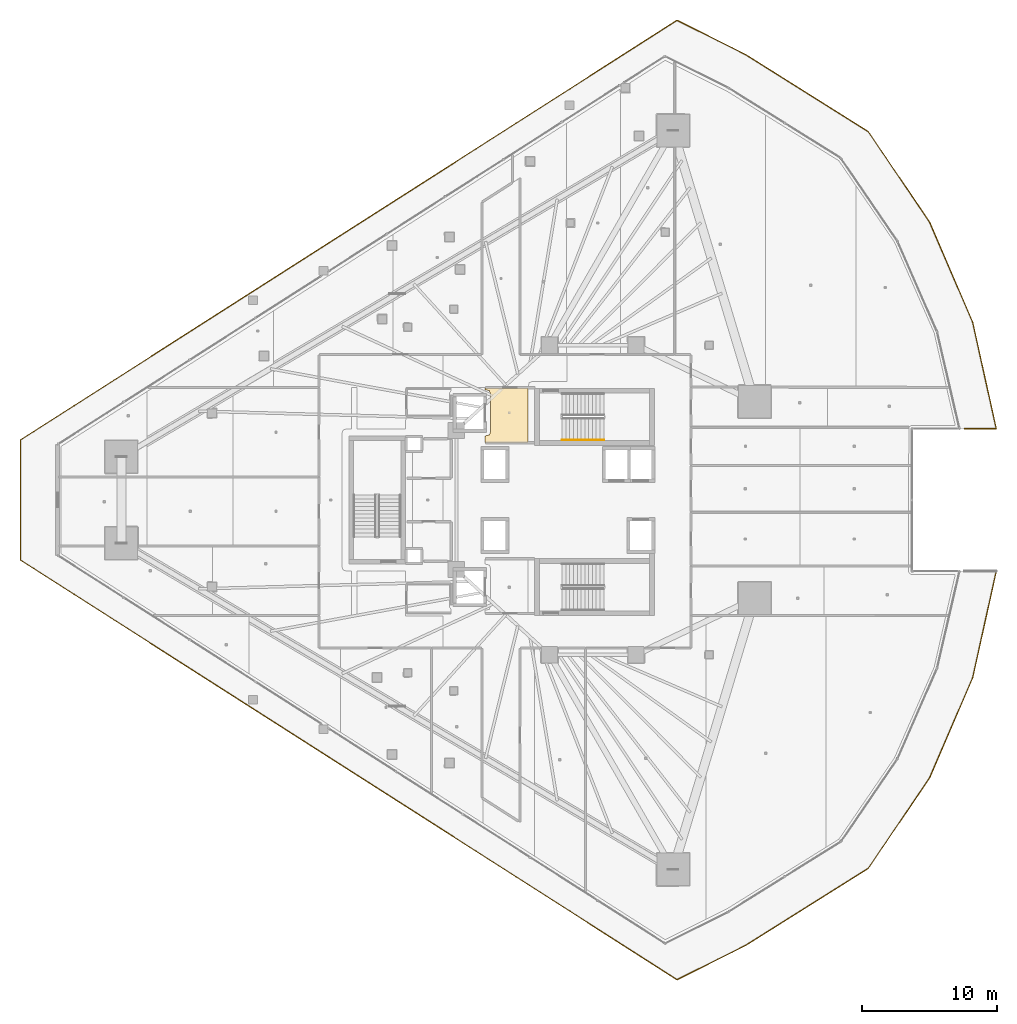
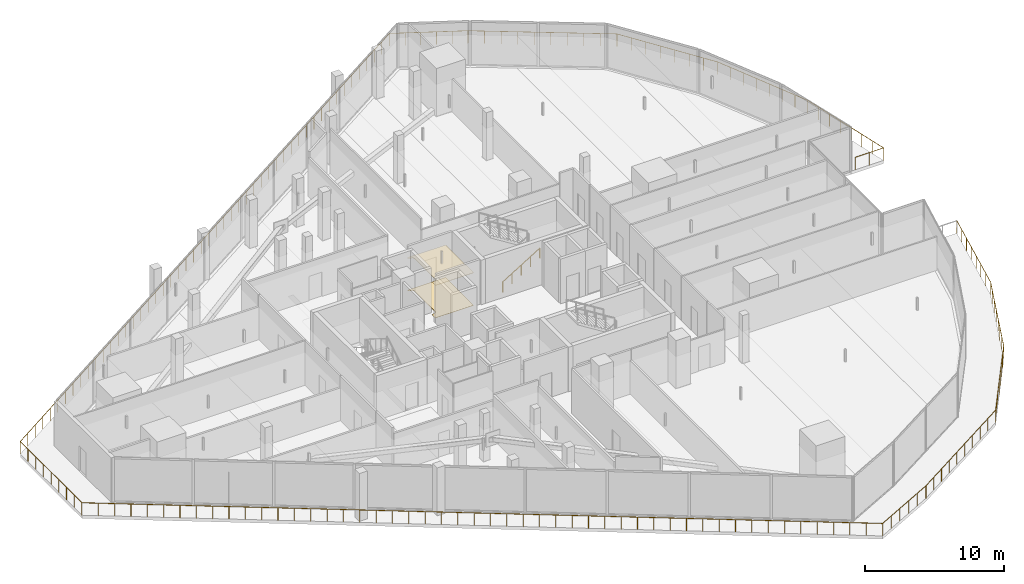
# One storey, part 50 of 52: 2 coverings, 2 railings.
"""IFC4 building model written with IfcOpenShell, lengths in metres."""

from ifc_helpers import new_model, si_unit, direction, frame, origin, origin_2d, place, context, subcontext, project, spatial, polyline, circle, outline, extrude, material, layer, layer_set, type_object, element, save


model = new_model("IFC4")

# Units and contexts
model_context = context("Model", 3, precision=1e-05, world=origin(), true_north=direction((0.0, 1.0)))
body_context = subcontext(model_context, "Body", "Model", "MODEL_VIEW")
ifc_project = project(units=[si_unit("LENGTHUNIT", "METRE"), si_unit("AREAUNIT", "SQUARE_METRE"), si_unit("VOLUMEUNIT", "CUBIC_METRE"), si_unit("PLANEANGLEUNIT", "RADIAN"), si_unit("MASSUNIT", "GRAM", prefix="KILO")], contexts=[model_context])

# Site, building, storey
site_placement = place(None, origin())
site = spatial("IfcSite", under=ifc_project, at=site_placement, CompositionType="ELEMENT")
building_placement = place(site_placement, origin())
building = spatial("IfcBuilding", under=site, at=building_placement, Name="Qorvath Tower", CompositionType="ELEMENT")
storey_placement = place(building_placement, frame((0.0, 0.0, 61.800048828125)))
storey = spatial("IfcBuildingStorey", under=building, at=storey_placement, Name="L13", CompositionType="ELEMENT", Elevation=61.800048828125)

# Coverings
ifc_material_1 = material(Name="Acoustic mineral fibre ceiling tile", Category="gypsum")
ifc_layer_1 = layer(ifc_material_1, 0.030029296875)
ifc_layer_set_1 = layer_set([ifc_layer_1], Name="COV-CEIL")
covering_type_1 = type_object("IfcCoveringType", Name="COV-CEIL", PredefinedType="CEILING", material=ifc_layer_set_1)
covering_1_placement = place(storey_placement, frame((0.0, 0.0, 2.849853515625)))
element("IfcCovering", 1, at=covering_1_placement, inside=storey, type_object=covering_type_1, Name="L13 Suspended Acoustic Ceiling 001", PredefinedType="CEILING", context=body_context, shape_type="SweptSolid", body=[
    extrude(outline(polyline([(-25.18994140625, 4.2548828125), (-25.18994140625, 8.294921875), (-28.375, 8.294921875), (-28.375, 8.159912109375), (-28.063232421875, 8.086669921875), (-27.989990234375, 7.909912109375), (-27.989990234375, 4.989990234375), (-28.063232421875, 4.813232421875), (-28.375, 4.739990234375), (-28.375, 4.2548828125), (-25.18994140625, 4.2548828125)])), origin(), (0.0, 0.0, 1.0), 0.030029296875),
])
ifc_material_2 = material(Name="Polished epoxy terrazzo flooring", Category="concrete")
ifc_layer_2 = layer(ifc_material_2, 0.02001953125)
ifc_layer_set_2 = layer_set([ifc_layer_2], Name="COV-FLOOR-TRZ")
covering_type_2 = type_object("IfcCoveringType", Name="COV-FLOOR-TRZ", PredefinedType="FLOORING", material=ifc_layer_set_2)
covering_2_placement = place(storey_placement, origin())
element("IfcCovering", 2, at=covering_2_placement, inside=storey, type_object=covering_type_2, Name="L13 Floor Finish 001", PredefinedType="FLOORING", context=body_context, shape_type="SweptSolid", body=[
    extrude(outline(polyline([(-25.18994140625, 4.2548828125), (-25.18994140625, 8.294921875), (-28.375, 8.294921875), (-28.375, 8.159912109375), (-28.063232421875, 8.086669921875), (-27.989990234375, 7.909912109375), (-27.989990234375, 4.989990234375), (-28.063232421875, 4.813232421875), (-28.375, 4.739990234375), (-28.375, 4.2548828125), (-25.18994140625, 4.2548828125)])), origin(), (0.0, 0.0, 1.0), 0.014892578125),
])

# Railings
ifc_material_3 = material(Name="Laminated safety glass and stainless steel AISI 316", Category="steel")
railing_type_1 = type_object("IfcRailingType", Name="RL-EXT-GRD", PredefinedType="GUARDRAIL", material=ifc_material_3)
railing_1_placement = place(storey_placement, frame((9.448974609375, -5.2705078125, 0.0)))
element("IfcRailing", 3, at=railing_1_placement, inside=storey, type_object=railing_type_1, Name="Loggia Perimeter Guardrail L13-1.1", PredefinedType="GUARDRAIL", context=body_context, shape_type="SweptSolid", body=[
    extrude(circle(Radius=0.02392578125, at=origin_2d()), frame((0.0, 0.0, 1.09619140625), z_axis=(-0.216081573527, -0.976375313894, 0.0), x_axis=(0.976375313894, -0.216081573527, 0.0)), (0.0, 0.0, 1.0), 8.070556640625),
    extrude(circle(Radius=0.02392578125, at=origin_2d()), frame((-1.743896484375, -7.8798828125, 1.09619140625), z_axis=(-0.395495920644, -0.918467733104, 0.0), x_axis=(0.918467733104, -0.395495920644, 0.0)), (0.0, 0.0, 1.0), 8.070556640625),
    extrude(circle(Radius=0.02392578125, at=origin_2d()), frame((-4.935791015625, -15.29248046875, 1.09619140625), z_axis=(-0.56080734348, -0.827946328876, 0.0), x_axis=(0.827946328876, -0.56080734348, 0.0)), (0.0, 0.0, 1.0), 8.07080078125),
    extrude(circle(Radius=0.02392578125, at=origin_2d()), frame((-9.4619140625, -21.974609375, 1.09619140625), z_axis=(-0.846497130673, -0.53239328298, 0.0), x_axis=(0.53239328298, -0.846497130673, 0.0)), (0.0, 0.0, 1.0), 10.732421875),
    extrude(circle(Radius=0.02392578125, at=origin_2d()), frame((-18.546875, -27.6884765625, 1.09619140625), z_axis=(-0.894444416035, -0.44717914377, 0.0), x_axis=(0.44717914377, -0.894444416035, 0.0)), (0.0, 0.0, 1.0), 5.669189453125),
    extrude(circle(Radius=0.02392578125, at=origin_2d()), frame((-23.61767578125, -30.2236328125, 1.09619140625), z_axis=(-0.842604374981, 0.538533069794, 0.0), x_axis=(-0.538533069794, -0.842604374981, 0.0)), (0.0, 0.0, 1.0), 57.67041015625),
    extrude(circle(Radius=0.02392578125, at=origin_2d()), frame((-72.2109375, 0.833740234375, 1.09619140625), z_axis=(0.0, 1.0, 0.0), x_axis=(-1.0, 0.0, 0.0)), (0.0, 0.0, 1.0), 8.87353515625),
    extrude(circle(Radius=0.02392578125, at=origin_2d()), frame((-72.2109375, 9.707275390625, 1.09619140625), z_axis=(0.842604374981, 0.538533069794, 0.0), x_axis=(-0.538533069794, 0.842604374981, 0.0)), (0.0, 0.0, 1.0), 57.67041015625),
    extrude(circle(Radius=0.02392578125, at=origin_2d()), frame((-23.61767578125, 40.7646484375, 1.09619140625), z_axis=(0.894444416035, -0.44717914377, 0.0), x_axis=(0.44717914377, 0.894444416035, 0.0)), (0.0, 0.0, 1.0), 5.669189453125),
    extrude(circle(Radius=0.02392578125, at=origin_2d()), frame((-18.546875, 38.2294921875, 1.09619140625), z_axis=(0.846497130673, -0.53239328298, 0.0), x_axis=(0.53239328298, 0.846497130673, 0.0)), (0.0, 0.0, 1.0), 10.732421875),
    extrude(circle(Radius=0.02392578125, at=origin_2d()), frame((-9.4619140625, 32.515625, 1.09619140625), z_axis=(0.56080734348, -0.827946328876, 0.0), x_axis=(0.827946328876, 0.56080734348, 0.0)), (0.0, 0.0, 1.0), 8.07080078125),
    extrude(circle(Radius=0.02392578125, at=origin_2d()), frame((-4.935791015625, 25.83349609375, 1.09619140625), z_axis=(0.395495920644, -0.918467733104, 0.0), x_axis=(0.918467733104, 0.395495920644, 0.0)), (0.0, 0.0, 1.0), 8.070556640625),
    extrude(circle(Radius=0.02392578125, at=origin_2d()), frame((-1.743896484375, 18.4208984375, 1.09619140625), z_axis=(0.216081573527, -0.976375313894, 0.0), x_axis=(0.976375313894, 0.216081573527, 0.0)), (0.0, 0.0, 1.0), 8.070556640625),
    extrude(circle(Radius=0.02392578125, at=origin_2d()), frame((0.0, 10.541015625, 1.09619140625), z_axis=(-1.0, 0.0, 0.0), x_axis=(0.0, -1.0, 0.0)), (0.0, 0.0, 1.0), 2.3662109375),
    extrude(circle(Radius=0.02099609375, at=origin_2d()), origin(), (0.0, 0.0, 1.0), 1.072021484375),
    extrude(circle(Radius=0.02099609375, at=origin_2d()), frame((-0.2490234375, -1.125732421875, 0.0)), (0.0, 0.0, 1.0), 1.072021484375),
    extrude(circle(Radius=0.02099609375, at=origin_2d()), frame((-0.498291015625, -2.25146484375, 0.0)), (0.0, 0.0, 1.0), 1.072021484375),
    extrude(circle(Radius=0.02099609375, at=origin_2d()), frame((-0.747314453125, -3.377197265625, 0.0)), (0.0, 0.0, 1.0), 1.072021484375),
    extrude(circle(Radius=0.02099609375, at=origin_2d()), frame((-0.99658203125, -4.502685546875, 0.0)), (0.0, 0.0, 1.0), 1.072021484375),
    extrude(circle(Radius=0.02099609375, at=origin_2d()), frame((-1.24560546875, -5.62841796875, 0.0)), (0.0, 0.0, 1.0), 1.072021484375),
    extrude(circle(Radius=0.02099609375, at=origin_2d()), frame((-1.494873046875, -6.754150390625, 0.0)), (0.0, 0.0, 1.0), 1.072021484375),
    extrude(circle(Radius=0.02099609375, at=origin_2d()), frame((-1.743896484375, -7.8798828125, 0.0)), (0.0, 0.0, 1.0), 1.072021484375),
    extrude(circle(Radius=0.02099609375, at=origin_2d()), frame((-2.199951171875, -8.938720703125, 0.0)), (0.0, 0.0, 1.0), 1.072021484375),
    extrude(circle(Radius=0.02099609375, at=origin_2d()), frame((-2.65576171875, -9.997802734375, 0.0)), (0.0, 0.0, 1.0), 1.072021484375),
    extrude(circle(Radius=0.02099609375, at=origin_2d()), frame((-3.11181640625, -11.056640625, 0.0)), (0.0, 0.0, 1.0), 1.072021484375),
    extrude(circle(Radius=0.02099609375, at=origin_2d()), frame((-3.56787109375, -12.11572265625, 0.0)), (0.0, 0.0, 1.0), 1.072021484375),
    extrude(circle(Radius=0.02099609375, at=origin_2d()), frame((-4.02392578125, -13.174560546875, 0.0)), (0.0, 0.0, 1.0), 1.072021484375),
    extrude(circle(Radius=0.02099609375, at=origin_2d()), frame((-4.479736328125, -14.233642578125, 0.0)), (0.0, 0.0, 1.0), 1.072021484375),
    extrude(circle(Radius=0.02099609375, at=origin_2d()), frame((-4.935791015625, -15.29248046875, 0.0)), (0.0, 0.0, 1.0), 1.072021484375),
    extrude(circle(Radius=0.02099609375, at=origin_2d()), frame((-5.582275390625, -16.2470703125, 0.0)), (0.0, 0.0, 1.0), 1.072021484375),
    extrude(circle(Radius=0.02099609375, at=origin_2d()), frame((-6.22900390625, -17.20166015625, 0.0)), (0.0, 0.0, 1.0), 1.072021484375),
    extrude(circle(Radius=0.02099609375, at=origin_2d()), frame((-6.87548828125, -18.15625, 0.0)), (0.0, 0.0, 1.0), 1.072021484375),
    extrude(circle(Radius=0.02099609375, at=origin_2d()), frame((-7.522216796875, -19.11083984375, 0.0)), (0.0, 0.0, 1.0), 1.072021484375),
    extrude(circle(Radius=0.02099609375, at=origin_2d()), frame((-8.168701171875, -20.0654296875, 0.0)), (0.0, 0.0, 1.0), 1.072021484375),
    extrude(circle(Radius=0.02099609375, at=origin_2d()), frame((-8.8154296875, -21.02001953125, 0.0)), (0.0, 0.0, 1.0), 1.072021484375),
    extrude(circle(Radius=0.02099609375, at=origin_2d()), frame((-9.4619140625, -21.974609375, 0.0)), (0.0, 0.0, 1.0), 1.072021484375),
    extrude(circle(Radius=0.02099609375, at=origin_2d()), frame((-10.471435546875, -22.609375, 0.0)), (0.0, 0.0, 1.0), 1.072021484375),
    extrude(circle(Radius=0.02099609375, at=origin_2d()), frame((-11.480712890625, -23.244384765625, 0.0)), (0.0, 0.0, 1.0), 1.072021484375),
    extrude(circle(Radius=0.02099609375, at=origin_2d()), frame((-12.490234375, -23.879150390625, 0.0)), (0.0, 0.0, 1.0), 1.072021484375),
    extrude(circle(Radius=0.02099609375, at=origin_2d()), frame((-13.499755859375, -24.51416015625, 0.0)), (0.0, 0.0, 1.0), 1.072021484375),
    extrude(circle(Radius=0.02099609375, at=origin_2d()), frame((-14.509033203125, -25.14892578125, 0.0)), (0.0, 0.0, 1.0), 1.072021484375),
    extrude(circle(Radius=0.02099609375, at=origin_2d()), frame((-15.5185546875, -25.783935546875, 0.0)), (0.0, 0.0, 1.0), 1.072021484375),
    extrude(circle(Radius=0.02099609375, at=origin_2d()), frame((-16.528076171875, -26.418701171875, 0.0)), (0.0, 0.0, 1.0), 1.072021484375),
    extrude(circle(Radius=0.02099609375, at=origin_2d()), frame((-17.537353515625, -27.0537109375, 0.0)), (0.0, 0.0, 1.0), 1.072021484375),
    extrude(circle(Radius=0.02099609375, at=origin_2d()), frame((-18.546875, -27.6884765625, 0.0)), (0.0, 0.0, 1.0), 1.072021484375),
    extrude(circle(Radius=0.02099609375, at=origin_2d()), frame((-19.56103515625, -28.195556640625, 0.0)), (0.0, 0.0, 1.0), 1.072021484375),
    extrude(circle(Radius=0.02099609375, at=origin_2d()), frame((-20.5751953125, -28.70263671875, 0.0)), (0.0, 0.0, 1.0), 1.072021484375),
    extrude(circle(Radius=0.02099609375, at=origin_2d()), frame((-21.58935546875, -29.20947265625, 0.0)), (0.0, 0.0, 1.0), 1.072021484375),
    extrude(circle(Radius=0.02099609375, at=origin_2d()), frame((-22.603515625, -29.716552734375, 0.0)), (0.0, 0.0, 1.0), 1.072021484375),
    extrude(circle(Radius=0.02099609375, at=origin_2d()), frame((-23.61767578125, -30.2236328125, 0.0)), (0.0, 0.0, 1.0), 1.072021484375),
    extrude(circle(Radius=0.02099609375, at=origin_2d()), frame((-24.609375, -29.58984375, 0.0)), (0.0, 0.0, 1.0), 1.072021484375),
    extrude(circle(Radius=0.02099609375, at=origin_2d()), frame((-25.60107421875, -28.9560546875, 0.0)), (0.0, 0.0, 1.0), 1.072021484375),
    extrude(circle(Radius=0.02099609375, at=origin_2d()), frame((-26.5927734375, -28.322265625, 0.0)), (0.0, 0.0, 1.0), 1.072021484375),
    extrude(circle(Radius=0.02099609375, at=origin_2d()), frame((-27.58447265625, -27.688232421875, 0.0)), (0.0, 0.0, 1.0), 1.072021484375),
    extrude(circle(Radius=0.02099609375, at=origin_2d()), frame((-28.576171875, -27.054443359375, 0.0)), (0.0, 0.0, 1.0), 1.072021484375),
    extrude(circle(Radius=0.02099609375, at=origin_2d()), frame((-29.56787109375, -26.420654296875, 0.0)), (0.0, 0.0, 1.0), 1.072021484375),
    extrude(circle(Radius=0.02099609375, at=origin_2d()), frame((-30.5595703125, -25.786865234375, 0.0)), (0.0, 0.0, 1.0), 1.072021484375),
    extrude(circle(Radius=0.02099609375, at=origin_2d()), frame((-31.55126953125, -25.153076171875, 0.0)), (0.0, 0.0, 1.0), 1.072021484375),
    extrude(circle(Radius=0.02099609375, at=origin_2d()), frame((-32.54296875, -24.519287109375, 0.0)), (0.0, 0.0, 1.0), 1.072021484375),
    extrude(circle(Radius=0.02099609375, at=origin_2d()), frame((-33.53466796875, -23.885498046875, 0.0)), (0.0, 0.0, 1.0), 1.072021484375),
    extrude(circle(Radius=0.02099609375, at=origin_2d()), frame((-34.5263671875, -23.25146484375, 0.0)), (0.0, 0.0, 1.0), 1.072021484375),
    extrude(circle(Radius=0.02099609375, at=origin_2d()), frame((-35.51806640625, -22.61767578125, 0.0)), (0.0, 0.0, 1.0), 1.072021484375),
    extrude(circle(Radius=0.02099609375, at=origin_2d()), frame((-36.509765625, -21.98388671875, 0.0)), (0.0, 0.0, 1.0), 1.072021484375),
    extrude(circle(Radius=0.02099609375, at=origin_2d()), frame((-37.50146484375, -21.35009765625, 0.0)), (0.0, 0.0, 1.0), 1.072021484375),
    extrude(circle(Radius=0.02099609375, at=origin_2d()), frame((-38.4931640625, -20.71630859375, 0.0)), (0.0, 0.0, 1.0), 1.072021484375),
    extrude(circle(Radius=0.02099609375, at=origin_2d()), frame((-39.48486328125, -20.08251953125, 0.0)), (0.0, 0.0, 1.0), 1.072021484375),
    extrude(circle(Radius=0.02099609375, at=origin_2d()), frame((-40.4765625, -19.44873046875, 0.0)), (0.0, 0.0, 1.0), 1.072021484375),
    extrude(circle(Radius=0.02099609375, at=origin_2d()), frame((-41.46826171875, -18.814697265625, 0.0)), (0.0, 0.0, 1.0), 1.072021484375),
    extrude(circle(Radius=0.02099609375, at=origin_2d()), frame((-42.4599609375, -18.180908203125, 0.0)), (0.0, 0.0, 1.0), 1.072021484375),
    extrude(circle(Radius=0.02099609375, at=origin_2d()), frame((-43.45166015625, -17.547119140625, 0.0)), (0.0, 0.0, 1.0), 1.072021484375),
    extrude(circle(Radius=0.02099609375, at=origin_2d()), frame((-44.443359375, -16.913330078125, 0.0)), (0.0, 0.0, 1.0), 1.072021484375),
    extrude(circle(Radius=0.02099609375, at=origin_2d()), frame((-45.43505859375, -16.279541015625, 0.0)), (0.0, 0.0, 1.0), 1.072021484375),
    extrude(circle(Radius=0.02099609375, at=origin_2d()), frame((-46.4267578125, -15.645751953125, 0.0)), (0.0, 0.0, 1.0), 1.072021484375),
    extrude(circle(Radius=0.02099609375, at=origin_2d()), frame((-47.41845703125, -15.011962890625, 0.0)), (0.0, 0.0, 1.0), 1.072021484375),
    extrude(circle(Radius=0.02099609375, at=origin_2d()), frame((-48.41015625, -14.3779296875, 0.0)), (0.0, 0.0, 1.0), 1.072021484375),
    extrude(circle(Radius=0.02099609375, at=origin_2d()), frame((-49.40185546875, -13.744140625, 0.0)), (0.0, 0.0, 1.0), 1.072021484375),
    extrude(circle(Radius=0.02099609375, at=origin_2d()), frame((-50.3935546875, -13.1103515625, 0.0)), (0.0, 0.0, 1.0), 1.072021484375),
    extrude(circle(Radius=0.02099609375, at=origin_2d()), frame((-51.38525390625, -12.4765625, 0.0)), (0.0, 0.0, 1.0), 1.072021484375),
    extrude(circle(Radius=0.02099609375, at=origin_2d()), frame((-52.376953125, -11.8427734375, 0.0)), (0.0, 0.0, 1.0), 1.072021484375),
    extrude(circle(Radius=0.02099609375, at=origin_2d()), frame((-53.36865234375, -11.208984375, 0.0)), (0.0, 0.0, 1.0), 1.072021484375),
    extrude(circle(Radius=0.02099609375, at=origin_2d()), frame((-54.3603515625, -10.5751953125, 0.0)), (0.0, 0.0, 1.0), 1.072021484375),
    extrude(circle(Radius=0.02099609375, at=origin_2d()), frame((-55.35205078125, -9.941162109375, 0.0)), (0.0, 0.0, 1.0), 1.072021484375),
    extrude(circle(Radius=0.02099609375, at=origin_2d()), frame((-56.34375, -9.307373046875, 0.0)), (0.0, 0.0, 1.0), 1.072021484375),
    extrude(circle(Radius=0.02099609375, at=origin_2d()), frame((-57.33544921875, -8.673583984375, 0.0)), (0.0, 0.0, 1.0), 1.072021484375),
    extrude(circle(Radius=0.02099609375, at=origin_2d()), frame((-58.3271484375, -8.039794921875, 0.0)), (0.0, 0.0, 1.0), 1.072021484375),
    extrude(circle(Radius=0.02099609375, at=origin_2d()), frame((-59.31884765625, -7.406005859375, 0.0)), (0.0, 0.0, 1.0), 1.072021484375),
    extrude(circle(Radius=0.02099609375, at=origin_2d()), frame((-60.310546875, -6.772216796875, 0.0)), (0.0, 0.0, 1.0), 1.072021484375),
    extrude(circle(Radius=0.02099609375, at=origin_2d()), frame((-61.30224609375, -6.138427734375, 0.0)), (0.0, 0.0, 1.0), 1.072021484375),
    extrude(circle(Radius=0.02099609375, at=origin_2d()), frame((-62.2939453125, -5.50439453125, 0.0)), (0.0, 0.0, 1.0), 1.072021484375),
    extrude(circle(Radius=0.02099609375, at=origin_2d()), frame((-63.28564453125, -4.87060546875, 0.0)), (0.0, 0.0, 1.0), 1.072021484375),
    extrude(circle(Radius=0.02099609375, at=origin_2d()), frame((-64.27734375, -4.23681640625, 0.0)), (0.0, 0.0, 1.0), 1.072021484375),
    extrude(circle(Radius=0.02099609375, at=origin_2d()), frame((-65.26904296875, -3.60302734375, 0.0)), (0.0, 0.0, 1.0), 1.072021484375),
    extrude(circle(Radius=0.02099609375, at=origin_2d()), frame((-66.2607421875, -2.96923828125, 0.0)), (0.0, 0.0, 1.0), 1.072021484375),
    extrude(circle(Radius=0.02099609375, at=origin_2d()), frame((-67.25244140625, -2.33544921875, 0.0)), (0.0, 0.0, 1.0), 1.072021484375),
    extrude(circle(Radius=0.02099609375, at=origin_2d()), frame((-68.244140625, -1.70166015625, 0.0)), (0.0, 0.0, 1.0), 1.072021484375),
    extrude(circle(Radius=0.02099609375, at=origin_2d()), frame((-69.23583984375, -1.067626953125, 0.0)), (0.0, 0.0, 1.0), 1.072021484375),
    extrude(circle(Radius=0.02099609375, at=origin_2d()), frame((-70.2275390625, -0.433837890625, 0.0)), (0.0, 0.0, 1.0), 1.072021484375),
    extrude(circle(Radius=0.02099609375, at=origin_2d()), frame((-71.21923828125, 0.199951171875, 0.0)), (0.0, 0.0, 1.0), 1.072021484375),
    extrude(circle(Radius=0.02099609375, at=origin_2d()), frame((-72.2109375, 0.833740234375, 0.0)), (0.0, 0.0, 1.0), 1.072021484375),
    extrude(circle(Radius=0.02099609375, at=origin_2d()), frame((-72.2109375, 1.94287109375, 0.0)), (0.0, 0.0, 1.0), 1.072021484375),
    extrude(circle(Radius=0.02099609375, at=origin_2d()), frame((-72.2109375, 3.05224609375, 0.0)), (0.0, 0.0, 1.0), 1.072021484375),
    extrude(circle(Radius=0.02099609375, at=origin_2d()), frame((-72.2109375, 4.161376953125, 0.0)), (0.0, 0.0, 1.0), 1.072021484375),
    extrude(circle(Radius=0.02099609375, at=origin_2d()), frame((-72.2109375, 5.2705078125, 0.0)), (0.0, 0.0, 1.0), 1.072021484375),
    extrude(circle(Radius=0.02099609375, at=origin_2d()), frame((-72.2109375, 6.379638671875, 0.0)), (0.0, 0.0, 1.0), 1.072021484375),
    extrude(circle(Radius=0.02099609375, at=origin_2d()), frame((-72.2109375, 7.48876953125, 0.0)), (0.0, 0.0, 1.0), 1.072021484375),
    extrude(circle(Radius=0.02099609375, at=origin_2d()), frame((-72.2109375, 8.59814453125, 0.0)), (0.0, 0.0, 1.0), 1.072021484375),
    extrude(circle(Radius=0.02099609375, at=origin_2d()), frame((-72.2109375, 9.707275390625, 0.0)), (0.0, 0.0, 1.0), 1.072021484375),
    extrude(circle(Radius=0.02099609375, at=origin_2d()), frame((-71.21923828125, 10.341064453125, 0.0)), (0.0, 0.0, 1.0), 1.072021484375),
    extrude(circle(Radius=0.02099609375, at=origin_2d()), frame((-70.2275390625, 10.974853515625, 0.0)), (0.0, 0.0, 1.0), 1.072021484375),
    extrude(circle(Radius=0.02099609375, at=origin_2d()), frame((-69.23583984375, 11.608642578125, 0.0)), (0.0, 0.0, 1.0), 1.072021484375),
    extrude(circle(Radius=0.02099609375, at=origin_2d()), frame((-68.244140625, 12.24267578125, 0.0)), (0.0, 0.0, 1.0), 1.072021484375),
    extrude(circle(Radius=0.02099609375, at=origin_2d()), frame((-67.25244140625, 12.87646484375, 0.0)), (0.0, 0.0, 1.0), 1.072021484375),
    extrude(circle(Radius=0.02099609375, at=origin_2d()), frame((-66.2607421875, 13.51025390625, 0.0)), (0.0, 0.0, 1.0), 1.072021484375),
    extrude(circle(Radius=0.02099609375, at=origin_2d()), frame((-65.26904296875, 14.14404296875, 0.0)), (0.0, 0.0, 1.0), 1.072021484375),
    extrude(circle(Radius=0.02099609375, at=origin_2d()), frame((-64.27734375, 14.77783203125, 0.0)), (0.0, 0.0, 1.0), 1.072021484375),
    extrude(circle(Radius=0.02099609375, at=origin_2d()), frame((-63.28564453125, 15.41162109375, 0.0)), (0.0, 0.0, 1.0), 1.072021484375),
    extrude(circle(Radius=0.02099609375, at=origin_2d()), frame((-62.2939453125, 16.04541015625, 0.0)), (0.0, 0.0, 1.0), 1.072021484375),
    extrude(circle(Radius=0.02099609375, at=origin_2d()), frame((-61.30224609375, 16.679443359375, 0.0)), (0.0, 0.0, 1.0), 1.072021484375),
    extrude(circle(Radius=0.02099609375, at=origin_2d()), frame((-60.310546875, 17.313232421875, 0.0)), (0.0, 0.0, 1.0), 1.072021484375),
    extrude(circle(Radius=0.02099609375, at=origin_2d()), frame((-59.31884765625, 17.947021484375, 0.0)), (0.0, 0.0, 1.0), 1.072021484375),
    extrude(circle(Radius=0.02099609375, at=origin_2d()), frame((-58.3271484375, 18.580810546875, 0.0)), (0.0, 0.0, 1.0), 1.072021484375),
    extrude(circle(Radius=0.02099609375, at=origin_2d()), frame((-57.33544921875, 19.214599609375, 0.0)), (0.0, 0.0, 1.0), 1.072021484375),
    extrude(circle(Radius=0.02099609375, at=origin_2d()), frame((-56.34375, 19.848388671875, 0.0)), (0.0, 0.0, 1.0), 1.072021484375),
    extrude(circle(Radius=0.02099609375, at=origin_2d()), frame((-55.35205078125, 20.482177734375, 0.0)), (0.0, 0.0, 1.0), 1.072021484375),
    extrude(circle(Radius=0.02099609375, at=origin_2d()), frame((-54.3603515625, 21.1162109375, 0.0)), (0.0, 0.0, 1.0), 1.072021484375),
    extrude(circle(Radius=0.02099609375, at=origin_2d()), frame((-53.36865234375, 21.75, 0.0)), (0.0, 0.0, 1.0), 1.072021484375),
    extrude(circle(Radius=0.02099609375, at=origin_2d()), frame((-52.376953125, 22.3837890625, 0.0)), (0.0, 0.0, 1.0), 1.072021484375),
    extrude(circle(Radius=0.02099609375, at=origin_2d()), frame((-51.38525390625, 23.017578125, 0.0)), (0.0, 0.0, 1.0), 1.072021484375),
    extrude(circle(Radius=0.02099609375, at=origin_2d()), frame((-50.3935546875, 23.6513671875, 0.0)), (0.0, 0.0, 1.0), 1.072021484375),
    extrude(circle(Radius=0.02099609375, at=origin_2d()), frame((-49.40185546875, 24.28515625, 0.0)), (0.0, 0.0, 1.0), 1.072021484375),
    extrude(circle(Radius=0.02099609375, at=origin_2d()), frame((-48.41015625, 24.9189453125, 0.0)), (0.0, 0.0, 1.0), 1.072021484375),
    extrude(circle(Radius=0.02099609375, at=origin_2d()), frame((-47.41845703125, 25.552978515625, 0.0)), (0.0, 0.0, 1.0), 1.072021484375),
    extrude(circle(Radius=0.02099609375, at=origin_2d()), frame((-46.4267578125, 26.186767578125, 0.0)), (0.0, 0.0, 1.0), 1.072021484375),
    extrude(circle(Radius=0.02099609375, at=origin_2d()), frame((-45.43505859375, 26.820556640625, 0.0)), (0.0, 0.0, 1.0), 1.072021484375),
    extrude(circle(Radius=0.02099609375, at=origin_2d()), frame((-44.443359375, 27.454345703125, 0.0)), (0.0, 0.0, 1.0), 1.072021484375),
    extrude(circle(Radius=0.02099609375, at=origin_2d()), frame((-43.45166015625, 28.088134765625, 0.0)), (0.0, 0.0, 1.0), 1.072021484375),
    extrude(circle(Radius=0.02099609375, at=origin_2d()), frame((-42.4599609375, 28.721923828125, 0.0)), (0.0, 0.0, 1.0), 1.072021484375),
    extrude(circle(Radius=0.02099609375, at=origin_2d()), frame((-41.46826171875, 29.355712890625, 0.0)), (0.0, 0.0, 1.0), 1.072021484375),
    extrude(circle(Radius=0.02099609375, at=origin_2d()), frame((-40.4765625, 29.98974609375, 0.0)), (0.0, 0.0, 1.0), 1.072021484375),
    extrude(circle(Radius=0.02099609375, at=origin_2d()), frame((-39.48486328125, 30.62353515625, 0.0)), (0.0, 0.0, 1.0), 1.072021484375),
    extrude(circle(Radius=0.02099609375, at=origin_2d()), frame((-38.4931640625, 31.25732421875, 0.0)), (0.0, 0.0, 1.0), 1.072021484375),
    extrude(circle(Radius=0.02099609375, at=origin_2d()), frame((-37.50146484375, 31.89111328125, 0.0)), (0.0, 0.0, 1.0), 1.072021484375),
    extrude(circle(Radius=0.02099609375, at=origin_2d()), frame((-36.509765625, 32.52490234375, 0.0)), (0.0, 0.0, 1.0), 1.072021484375),
    extrude(circle(Radius=0.02099609375, at=origin_2d()), frame((-35.51806640625, 33.15869140625, 0.0)), (0.0, 0.0, 1.0), 1.072021484375),
    extrude(circle(Radius=0.02099609375, at=origin_2d()), frame((-34.5263671875, 33.79248046875, 0.0)), (0.0, 0.0, 1.0), 1.072021484375),
    extrude(circle(Radius=0.02099609375, at=origin_2d()), frame((-33.53466796875, 34.426513671875, 0.0)), (0.0, 0.0, 1.0), 1.072021484375),
    extrude(circle(Radius=0.02099609375, at=origin_2d()), frame((-32.54296875, 35.060302734375, 0.0)), (0.0, 0.0, 1.0), 1.072021484375),
    extrude(circle(Radius=0.02099609375, at=origin_2d()), frame((-31.55126953125, 35.694091796875, 0.0)), (0.0, 0.0, 1.0), 1.072021484375),
    extrude(circle(Radius=0.02099609375, at=origin_2d()), frame((-30.5595703125, 36.327880859375, 0.0)), (0.0, 0.0, 1.0), 1.072021484375),
    extrude(circle(Radius=0.02099609375, at=origin_2d()), frame((-29.56787109375, 36.961669921875, 0.0)), (0.0, 0.0, 1.0), 1.072021484375),
    extrude(circle(Radius=0.02099609375, at=origin_2d()), frame((-28.576171875, 37.595458984375, 0.0)), (0.0, 0.0, 1.0), 1.072021484375),
    extrude(circle(Radius=0.02099609375, at=origin_2d()), frame((-27.58447265625, 38.229248046875, 0.0)), (0.0, 0.0, 1.0), 1.072021484375),
    extrude(circle(Radius=0.02099609375, at=origin_2d()), frame((-26.5927734375, 38.86328125, 0.0)), (0.0, 0.0, 1.0), 1.072021484375),
    extrude(circle(Radius=0.02099609375, at=origin_2d()), frame((-25.60107421875, 39.4970703125, 0.0)), (0.0, 0.0, 1.0), 1.072021484375),
    extrude(circle(Radius=0.02099609375, at=origin_2d()), frame((-24.609375, 40.130859375, 0.0)), (0.0, 0.0, 1.0), 1.072021484375),
    extrude(circle(Radius=0.02099609375, at=origin_2d()), frame((-23.61767578125, 40.7646484375, 0.0)), (0.0, 0.0, 1.0), 1.072021484375),
    extrude(circle(Radius=0.02099609375, at=origin_2d()), frame((-22.603515625, 40.257568359375, 0.0)), (0.0, 0.0, 1.0), 1.072021484375),
    extrude(circle(Radius=0.02099609375, at=origin_2d()), frame((-21.58935546875, 39.75048828125, 0.0)), (0.0, 0.0, 1.0), 1.072021484375),
    extrude(circle(Radius=0.02099609375, at=origin_2d()), frame((-20.5751953125, 39.24365234375, 0.0)), (0.0, 0.0, 1.0), 1.072021484375),
    extrude(circle(Radius=0.02099609375, at=origin_2d()), frame((-19.56103515625, 38.736572265625, 0.0)), (0.0, 0.0, 1.0), 1.072021484375),
    extrude(circle(Radius=0.02099609375, at=origin_2d()), frame((-18.546875, 38.2294921875, 0.0)), (0.0, 0.0, 1.0), 1.072021484375),
    extrude(circle(Radius=0.02099609375, at=origin_2d()), frame((-17.537353515625, 37.5947265625, 0.0)), (0.0, 0.0, 1.0), 1.072021484375),
    extrude(circle(Radius=0.02099609375, at=origin_2d()), frame((-16.528076171875, 36.959716796875, 0.0)), (0.0, 0.0, 1.0), 1.072021484375),
    extrude(circle(Radius=0.02099609375, at=origin_2d()), frame((-15.5185546875, 36.324951171875, 0.0)), (0.0, 0.0, 1.0), 1.072021484375),
    extrude(circle(Radius=0.02099609375, at=origin_2d()), frame((-14.509033203125, 35.68994140625, 0.0)), (0.0, 0.0, 1.0), 1.072021484375),
    extrude(circle(Radius=0.02099609375, at=origin_2d()), frame((-13.499755859375, 35.05517578125, 0.0)), (0.0, 0.0, 1.0), 1.072021484375),
    extrude(circle(Radius=0.02099609375, at=origin_2d()), frame((-12.490234375, 34.420166015625, 0.0)), (0.0, 0.0, 1.0), 1.072021484375),
    extrude(circle(Radius=0.02099609375, at=origin_2d()), frame((-11.480712890625, 33.785400390625, 0.0)), (0.0, 0.0, 1.0), 1.072021484375),
    extrude(circle(Radius=0.02099609375, at=origin_2d()), frame((-10.471435546875, 33.150390625, 0.0)), (0.0, 0.0, 1.0), 1.072021484375),
    extrude(circle(Radius=0.02099609375, at=origin_2d()), frame((-9.4619140625, 32.515625, 0.0)), (0.0, 0.0, 1.0), 1.072021484375),
    extrude(circle(Radius=0.02099609375, at=origin_2d()), frame((-8.8154296875, 31.56103515625, 0.0)), (0.0, 0.0, 1.0), 1.072021484375),
    extrude(circle(Radius=0.02099609375, at=origin_2d()), frame((-8.168701171875, 30.6064453125, 0.0)), (0.0, 0.0, 1.0), 1.072021484375),
    extrude(circle(Radius=0.02099609375, at=origin_2d()), frame((-7.522216796875, 29.65185546875, 0.0)), (0.0, 0.0, 1.0), 1.072021484375),
    extrude(circle(Radius=0.02099609375, at=origin_2d()), frame((-6.87548828125, 28.697265625, 0.0)), (0.0, 0.0, 1.0), 1.072021484375),
    extrude(circle(Radius=0.02099609375, at=origin_2d()), frame((-6.22900390625, 27.74267578125, 0.0)), (0.0, 0.0, 1.0), 1.072021484375),
    extrude(circle(Radius=0.02099609375, at=origin_2d()), frame((-5.582275390625, 26.7880859375, 0.0)), (0.0, 0.0, 1.0), 1.072021484375),
    extrude(circle(Radius=0.02099609375, at=origin_2d()), frame((-4.935791015625, 25.83349609375, 0.0)), (0.0, 0.0, 1.0), 1.072021484375),
    extrude(circle(Radius=0.02099609375, at=origin_2d()), frame((-4.479736328125, 24.774658203125, 0.0)), (0.0, 0.0, 1.0), 1.072021484375),
    extrude(circle(Radius=0.02099609375, at=origin_2d()), frame((-4.02392578125, 23.715576171875, 0.0)), (0.0, 0.0, 1.0), 1.072021484375),
    extrude(circle(Radius=0.02099609375, at=origin_2d()), frame((-3.56787109375, 22.65673828125, 0.0)), (0.0, 0.0, 1.0), 1.072021484375),
    extrude(circle(Radius=0.02099609375, at=origin_2d()), frame((-3.11181640625, 21.59765625, 0.0)), (0.0, 0.0, 1.0), 1.072021484375),
    extrude(circle(Radius=0.02099609375, at=origin_2d()), frame((-2.65576171875, 20.538818359375, 0.0)), (0.0, 0.0, 1.0), 1.072021484375),
    extrude(circle(Radius=0.02099609375, at=origin_2d()), frame((-2.199951171875, 19.479736328125, 0.0)), (0.0, 0.0, 1.0), 1.072021484375),
    extrude(circle(Radius=0.02099609375, at=origin_2d()), frame((-1.743896484375, 18.4208984375, 0.0)), (0.0, 0.0, 1.0), 1.072021484375),
    extrude(circle(Radius=0.02099609375, at=origin_2d()), frame((-1.494873046875, 17.295166015625, 0.0)), (0.0, 0.0, 1.0), 1.072021484375),
    extrude(circle(Radius=0.02099609375, at=origin_2d()), frame((-1.24560546875, 16.16943359375, 0.0)), (0.0, 0.0, 1.0), 1.072021484375),
    extrude(circle(Radius=0.02099609375, at=origin_2d()), frame((-0.99658203125, 15.043701171875, 0.0)), (0.0, 0.0, 1.0), 1.072021484375),
    extrude(circle(Radius=0.02099609375, at=origin_2d()), frame((-0.747314453125, 13.918212890625, 0.0)), (0.0, 0.0, 1.0), 1.072021484375),
    extrude(circle(Radius=0.02099609375, at=origin_2d()), frame((-0.498291015625, 12.79248046875, 0.0)), (0.0, 0.0, 1.0), 1.072021484375),
    extrude(circle(Radius=0.02099609375, at=origin_2d()), frame((-0.2490234375, 11.666748046875, 0.0)), (0.0, 0.0, 1.0), 1.072021484375),
    extrude(circle(Radius=0.02099609375, at=origin_2d()), frame((0.0, 10.541015625, 0.0)), (0.0, 0.0, 1.0), 1.072021484375),
    extrude(circle(Radius=0.02099609375, at=origin_2d()), frame((-1.18310546875, 10.541015625, 0.0)), (0.0, 0.0, 1.0), 1.072021484375),
    extrude(circle(Radius=0.02099609375, at=origin_2d()), frame((-2.3662109375, 10.541015625, 0.0)), (0.0, 0.0, 1.0), 1.072021484375),
])
ifc_material_4 = material(Name="Brushed stainless steel AISI 304", Category="steel")
railing_type_2 = type_object("IfcRailingType", Name="RL-STR-HND", PredefinedType="HANDRAIL", material=ifc_material_4)
railing_2_placement = place(storey_placement, frame((-22.669921875, 4.449951171875, 0.175048828125)))
element("IfcRailing", 4, at=railing_2_placement, inside=storey, type_object=railing_type_2, Name="L13 TS1 stair handrail 1", PredefinedType="HANDRAIL", context=body_context, shape_type="SweptSolid", body=[
    extrude(circle(Radius=0.02392578125, at=origin_2d()), frame((0.0, 0.0, 0.8759765625), z_axis=(0.848009633417, 0.0, 0.529980812513), x_axis=(0.0, 1.0, 0.0)), (0.0, 0.0, 1.0), 3.6318359375),
    extrude(circle(Radius=0.02099609375, at=origin_2d()), origin(), (0.0, 0.0, 1.0), 0.851806640625),
    extrude(circle(Radius=0.02099609375, at=origin_2d()), frame((0.77001953125, 0.0, 0.481201171875)), (0.0, 0.0, 1.0), 0.851806640625),
    extrude(circle(Radius=0.02099609375, at=origin_2d()), frame((1.5400390625, 0.0, 0.96240234375)), (0.0, 0.0, 1.0), 0.851806640625),
    extrude(circle(Radius=0.02099609375, at=origin_2d()), frame((2.309814453125, 0.0, 1.443603515625)), (0.0, 0.0, 1.0), 0.851806640625),
    extrude(circle(Radius=0.02099609375, at=origin_2d()), frame((3.079833984375, 0.0, 1.9248046875)), (0.0, 0.0, 1.0), 0.851806640625),
])

save(model, "model.ifc")
